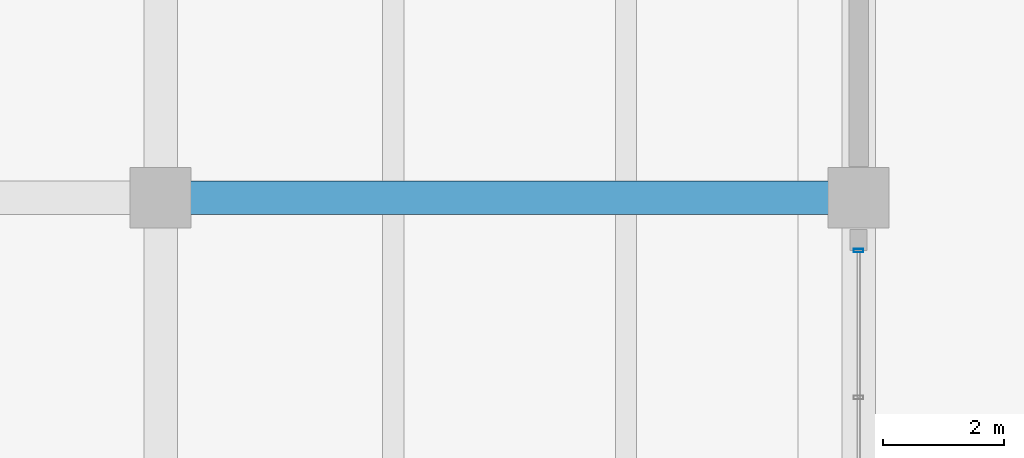
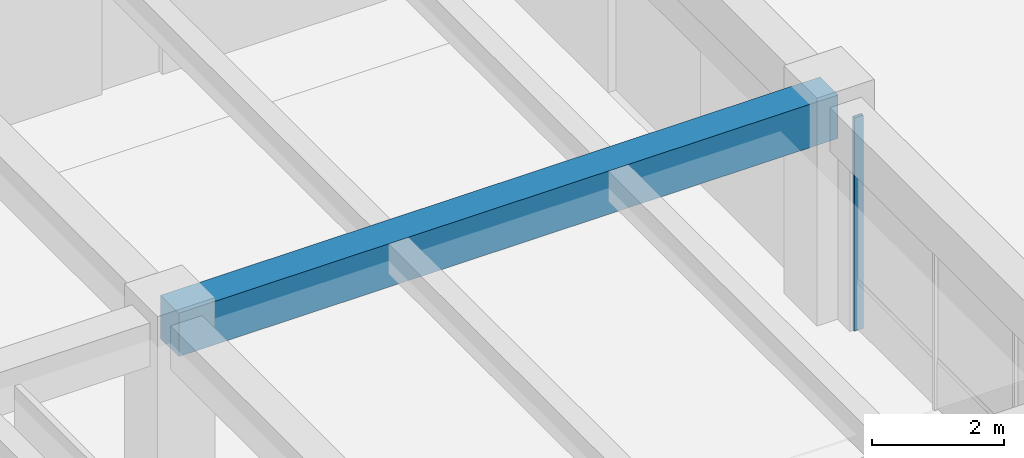
# One storey, part 43 of 109: 1 beam, 1 member, 1 element without a shape of its own.
"""IFC4 building model written with IfcOpenShell, lengths in metres."""

from ifc_helpers import new_model, si_unit, direction, frame, origin, origin_2d, place, context, subcontext, project, spatial, rectangle, hollow_rectangle, extrude, material, material_profile, profile_set, type_object, element, aggregate, save


model = new_model("IFC4")

# Units and contexts
model_context = context("Model", 3, precision=1e-05, world=origin(), true_north=direction((0.0, 1.0)))
body_context = subcontext(model_context, "Body", "Model", "MODEL_VIEW")
ifc_project = project(units=[si_unit("LENGTHUNIT", "METRE"), si_unit("AREAUNIT", "SQUARE_METRE"), si_unit("VOLUMEUNIT", "CUBIC_METRE"), si_unit("PLANEANGLEUNIT", "RADIAN"), si_unit("MASSUNIT", "GRAM", prefix="KILO")], contexts=[model_context])

# Site, building, storey
site_placement = place(None, origin())
site = spatial("IfcSite", under=ifc_project, at=site_placement, CompositionType="ELEMENT")
building_placement = place(site_placement, origin())
building = spatial("IfcBuilding", under=site, at=building_placement, Name="Ologun Quay Terminus", CompositionType="ELEMENT")
storey_placement = place(building_placement, origin())
storey = spatial("IfcBuildingStorey", under=building, at=storey_placement, Name="L00", CompositionType="ELEMENT", Elevation=0.0)

# Curtain wall, member
ifc_material_1 = material(Name="Aluminium 6063-T6", Category="aluminium")
curtain_wall_type = type_object("IfcCurtainWallType", Name="Rain-Garden West Courtyard Curtain Wall L00 8200x3750", PredefinedType="USERDEFINED", material=ifc_material_1)
curtain_wall_placement = place(storey_placement, origin())
curtain_wall = element("IfcCurtainWall", 1, at=curtain_wall_placement, inside=storey, type_object=curtain_wall_type, Name="CW-13 Curtain Wall CW-L00-094", ObjectType="UNITISED CURTAIN WALL", PredefinedType="USERDEFINED")
ifc_material_2 = material(Name="Aluminium 6063-T6", Category="aluminium")
ifc_material_profile_1 = material_profile(ifc_material_2, hollow_rectangle(XDim=0.06005859375, YDim=0.159912109375, WallThickness=0.00390625, at=origin_2d()), Name="ALU 160x60x4")
ifc_profile_set_1 = profile_set([ifc_material_profile_1], Name="Aluminium 6063-T6")
member_type = type_object("IfcMemberType", Name="Courtyard Screen Mullion 160x65", PredefinedType="MULLION", material=ifc_profile_set_1)
member_placement = place(storey_placement, frame((69.0, 93.929931640625, 0.0), z_axis=(0.0, 0.0, 1.0), x_axis=(0.0, 1.0, 0.0)))
member = element("IfcMember", 2, at=member_placement, type_object=member_type, Name="CW-L00-094 Mullion 4", PredefinedType="MULLION", context=body_context, shape_type="SweptSolid", body=[
    extrude(hollow_rectangle(XDim=0.06005859375, YDim=0.159912109375, WallThickness=0.00390625, at=origin_2d()), origin(), (0.0, 0.0, 1.0), 3.929931640625),
])
aggregate(curtain_wall, [member])

# Beam
ifc_material_3 = material(Name="Concrete C40/50", Category="concrete")
ifc_material_profile_2 = material_profile(ifc_material_3, rectangle(XDim=0.550048828125, YDim=0.800048828125, at=origin_2d()), Name="RC 550x800")
ifc_profile_set_2 = profile_set([ifc_material_profile_2], Name="Concrete C40/50")
beam_type = type_object("IfcBeamType", Name="Courtyard Wing Primary Girder 550x800", PredefinedType="BEAM", material=ifc_profile_set_2)
beam_placement = place(storey_placement, frame((57.5, 94.800048828125, 3.550048828125), z_axis=(1.0, 0.0, 0.0), x_axis=(0.0, 1.0, 0.0)))
element("IfcBeam", 3, at=beam_placement, inside=storey, type_object=beam_type, Name="B4 Beam 6/H L00", PredefinedType="BEAM", context=body_context, shape_type="SweptSolid", body=[
    extrude(rectangle(XDim=0.550048828125, YDim=0.800048828125, at=origin_2d()), origin(), (0.0, 0.0, 1.0), 11.5),
])

save(model, "model.ifc")
